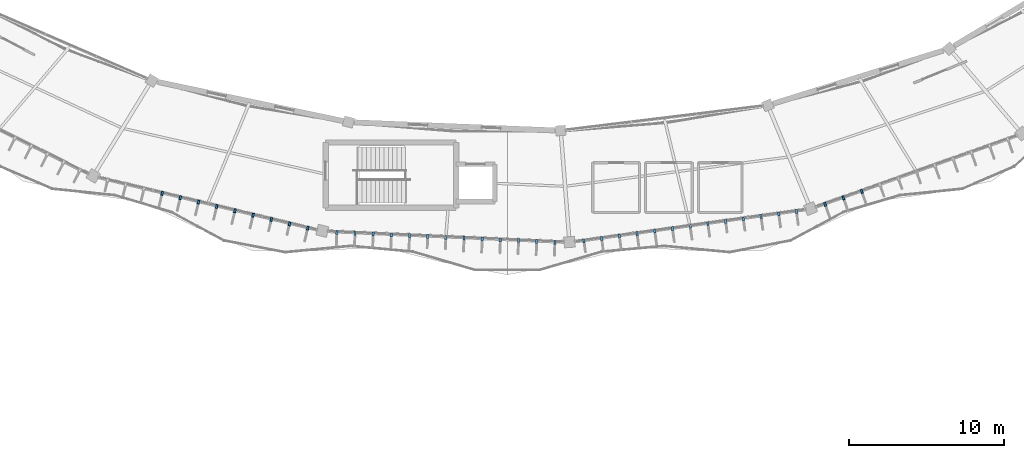
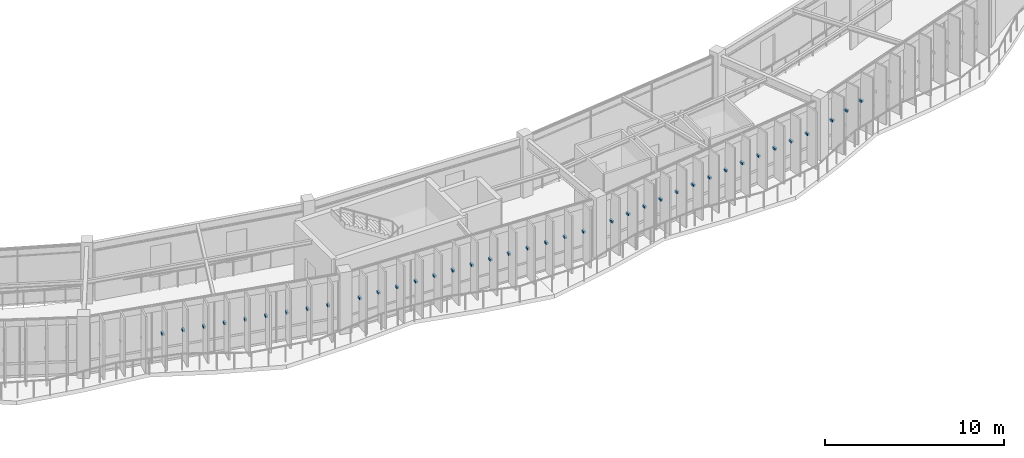
# One storey, part 122 of 138: 38 discrete accessories.
"""IFC4 building model written with IfcOpenShell, lengths in metres."""

from ifc_helpers import new_model, si_unit, direction, frame, origin, origin_2d, place, context, subcontext, project, spatial, rectangle, extrude, material, type_object, element, save


model = new_model("IFC4")

# Units and contexts
model_context = context("Model", 3, precision=1e-05, world=origin(), true_north=direction((0.0, 1.0)))
body_context = subcontext(model_context, "Body", "Model", "MODEL_VIEW")
ifc_project = project(units=[si_unit("LENGTHUNIT", "METRE"), si_unit("AREAUNIT", "SQUARE_METRE"), si_unit("VOLUMEUNIT", "CUBIC_METRE"), si_unit("PLANEANGLEUNIT", "RADIAN"), si_unit("MASSUNIT", "GRAM", prefix="KILO"), si_unit("THERMODYNAMICTEMPERATUREUNIT", "KELVIN"), si_unit("POWERUNIT", "WATT")], contexts=[model_context])

# Site, building, storey
site_placement = place(None, origin())
site = spatial("IfcSite", under=ifc_project, at=site_placement, CompositionType="ELEMENT")
building_placement = place(site_placement, origin())
building = spatial("IfcBuilding", under=site, at=building_placement, Name="Darbajah Civic Hall", CompositionType="ELEMENT")
storey_placement = place(building_placement, frame((0.0, 0.0, 9.60009765625)))
storey = spatial("IfcBuildingStorey", under=building, at=storey_placement, Name="L02", CompositionType="ELEMENT", Elevation=9.60009765625)

# Discrete accessories
ifc_material = material(Name="Stainless Steel S355JR", Category="steel")
discrete_accessory_type = type_object("IfcDiscreteAccessoryType", Name="Stainless Facade Support Bracket", PredefinedType="BRACKET", material=ifc_material)
for number, where, z_axis, x_axis, name in (
    (1, (66.880859375, 63.5244140625, 1.89013671875), (0.0, 0.0, 1.0), (-0.232936200179, -0.972492018808, 0.0), "L02 shading fin bracket 13-4"),
    (2, (68.05224609375, 63.243896484375, 1.89013671875), (0.0, 0.0, 1.0), (-0.232936200179, -0.972492018808, 0.0), "L02 shading fin bracket 13-5"),
    (3, (69.223876953125, 62.963134765625, 1.89013671875), (0.0, 0.0, 1.0), (-0.232936200179, -0.972492018808, 0.0), "L02 shading fin bracket 13-6"),
    (4, (70.395263671875, 62.682373046875, 1.89013671875), (0.0, 0.0, 1.0), (-0.232936200179, -0.972492018808, 0.0), "L02 shading fin bracket 13-7"),
    (5, (71.566650390625, 62.40185546875, 1.89013671875), (0.0, 0.0, 1.0), (-0.232936200179, -0.972492018808, 0.0), "L02 shading fin bracket 13-8"),
    (6, (72.738037109375, 62.12109375, 1.89013671875), (0.0, 0.0, 1.0), (-0.232936200179, -0.972492018808, 0.0), "L02 shading fin bracket 13-9"),
    (7, (73.909423828125, 61.84033203125, 1.89013671875), (0.0, 0.0, 1.0), (-0.232936200179, -0.972492018808, 0.0), "L02 shading fin bracket 13-10"),
    (8, (75.080810546875, 61.559814453125, 1.89013671875), (0.0, 0.0, 1.0), (-0.232936200179, -0.972492018808, 0.0), "L02 shading fin bracket 13-11"),
    (9, (76.252197265625, 61.279052734375, 1.89013671875), (0.0, 0.0, 1.0), (-0.232936200179, -0.972492018808, 0.0), "L02 shading fin bracket 13-12"),
    (10, (78.1279296875, 61.012451171875, 1.89013671875), (0.0, 0.0, 1.0), (-0.045537340693, -0.998962637241, 0.0), "L02 shading fin bracket 14-1"),
    (11, (79.297607421875, 60.959228515625, 1.89013671875), (0.0, 0.0, 1.0), (-0.045537340693, -0.998962637241, 0.0), "L02 shading fin bracket 14-2"),
    (12, (80.467041015625, 60.906005859375, 1.89013671875), (0.0, 0.0, 1.0), (-0.045537340693, -0.998962637241, 0.0), "L02 shading fin bracket 14-3"),
    (13, (81.636474609375, 60.852783203125, 1.89013671875), (0.0, 0.0, 1.0), (-0.045537340693, -0.998962637241, 0.0), "L02 shading fin bracket 14-4"),
    (14, (82.80615234375, 60.799560546875, 1.89013671875), (0.0, 0.0, 1.0), (-0.045537340693, -0.998962637241, 0.0), "L02 shading fin bracket 14-5"),
    (15, (83.9755859375, 60.746337890625, 1.89013671875), (0.0, 0.0, 1.0), (-0.045537340693, -0.998962637241, 0.0), "L02 shading fin bracket 14-6"),
    (16, (85.14501953125, 60.693115234375, 1.89013671875), (0.0, 0.0, 1.0), (-0.045537340693, -0.998962637241, 0.0), "L02 shading fin bracket 14-7"),
    (17, (86.314697265625, 60.639892578125, 1.89013671875), (0.0, 0.0, 1.0), (-0.045537340693, -0.998962637241, 0.0), "L02 shading fin bracket 14-8"),
    (18, (87.484130859375, 60.586669921875, 1.89013671875), (0.0, 0.0, 1.0), (-0.045537340693, -0.998962637241, 0.0), "L02 shading fin bracket 14-9"),
    (19, (88.65380859375, 60.533203125, 1.89013671875), (0.0, 0.0, 1.0), (-0.045537340693, -0.998962637241, 0.0), "L02 shading fin bracket 14-10"),
    (20, (89.8232421875, 60.47998046875, 1.89013671875), (0.0, 0.0, 1.0), (-0.045537340693, -0.998962637241, 0.0), "L02 shading fin bracket 14-11"),
    (21, (90.992919921875, 60.4267578125, 1.89013671875), (0.0, 0.0, 1.0), (-0.045537340693, -0.998962637241, 0.0), "L02 shading fin bracket 14-12"),
    (22, (92.162353515625, 60.37353515625, 1.89013671875), (0.0, 0.0, 1.0), (-0.045537340693, -0.998962637241, 0.0), "L02 shading fin bracket 14-13"),
    (23, (94.0283203125, 60.458984375, 1.89013671875), (0.0, 0.0, 1.0), (0.137617420457, -0.990485459553, 0.0), "L02 shading fin bracket 15-1"),
    (24, (95.168212890625, 60.6171875, 1.89013671875), (0.0, 0.0, 1.0), (0.137617420457, -0.990485459553, 0.0), "L02 shading fin bracket 15-2"),
    (25, (96.30810546875, 60.775634765625, 1.89013671875), (0.0, 0.0, 1.0), (0.137617420457, -0.990485459553, 0.0), "L02 shading fin bracket 15-3"),
    (26, (97.44775390625, 60.933837890625, 1.89013671875), (0.0, 0.0, 1.0), (0.137617420457, -0.990485459553, 0.0), "L02 shading fin bracket 15-4"),
    (27, (98.587646484375, 61.09228515625, 1.89013671875), (0.0, 0.0, 1.0), (0.137617420457, -0.990485459553, 0.0), "L02 shading fin bracket 15-5"),
    (28, (99.7275390625, 61.25048828125, 1.89013671875), (0.0, 0.0, 1.0), (0.137617420457, -0.990485459553, 0.0), "L02 shading fin bracket 15-6"),
    (29, (100.867431640625, 61.40869140625, 1.89013671875), (0.0, 0.0, 1.0), (0.137617420457, -0.990485459553, 0.0), "L02 shading fin bracket 15-7"),
    (30, (102.00732421875, 61.567138671875, 1.89013671875), (0.0, 0.0, 1.0), (0.137617420457, -0.990485459553, 0.0), "L02 shading fin bracket 15-8"),
    (31, (103.147216796875, 61.725341796875, 1.89013671875), (0.0, 0.0, 1.0), (0.137617420457, -0.990485459553, 0.0), "L02 shading fin bracket 15-9"),
    (32, (104.287109375, 61.8837890625, 1.89013671875), (0.0, 0.0, 1.0), (0.137617420457, -0.990485459553, 0.0), "L02 shading fin bracket 15-10"),
    (33, (105.4267578125, 62.0419921875, 1.89013671875), (0.0, 0.0, 1.0), (0.137617420457, -0.990485459553, 0.0), "L02 shading fin bracket 15-11"),
    (34, (106.566650390625, 62.2001953125, 1.89013671875), (0.0, 0.0, 1.0), (0.137617420457, -0.990485459553, 0.0), "L02 shading fin bracket 15-12"),
    (35, (107.70654296875, 62.358642578125, 1.89013671875), (0.0, 0.0, 1.0), (0.137617420457, -0.990485459553, 0.0), "L02 shading fin bracket 15-13"),
    (36, (109.556884765625, 62.815185546875, 1.89013671875), (0.0, 0.0, 1.0), (0.334135882844, -0.94252491309, 0.0), "L02 shading fin bracket 16-1"),
    (37, (110.7333984375, 63.232177734375, 1.89013671875), (0.0, 0.0, 1.0), (0.334135882844, -0.94252491309, 0.0), "L02 shading fin bracket 16-2"),
    (38, (111.909912109375, 63.649169921875, 1.89013671875), (0.0, 0.0, 1.0), (0.334135882844, -0.94252491309, 0.0), "L02 shading fin bracket 16-3"),
):
    element("IfcDiscreteAccessory", number, at=place(storey_placement, frame(where, z_axis=z_axis, x_axis=x_axis)), inside=storey, type_object=discrete_accessory_type, Name=name, PredefinedType="BRACKET", context=body_context, shape_type="SweptSolid", body=[
        extrude(rectangle(XDim=0.260009765625, YDim=0.139892578125, at=origin_2d()), origin(), (0.0, 0.0, 1.0), 0.139892578125),
    ])

save(model, "model.ifc")
